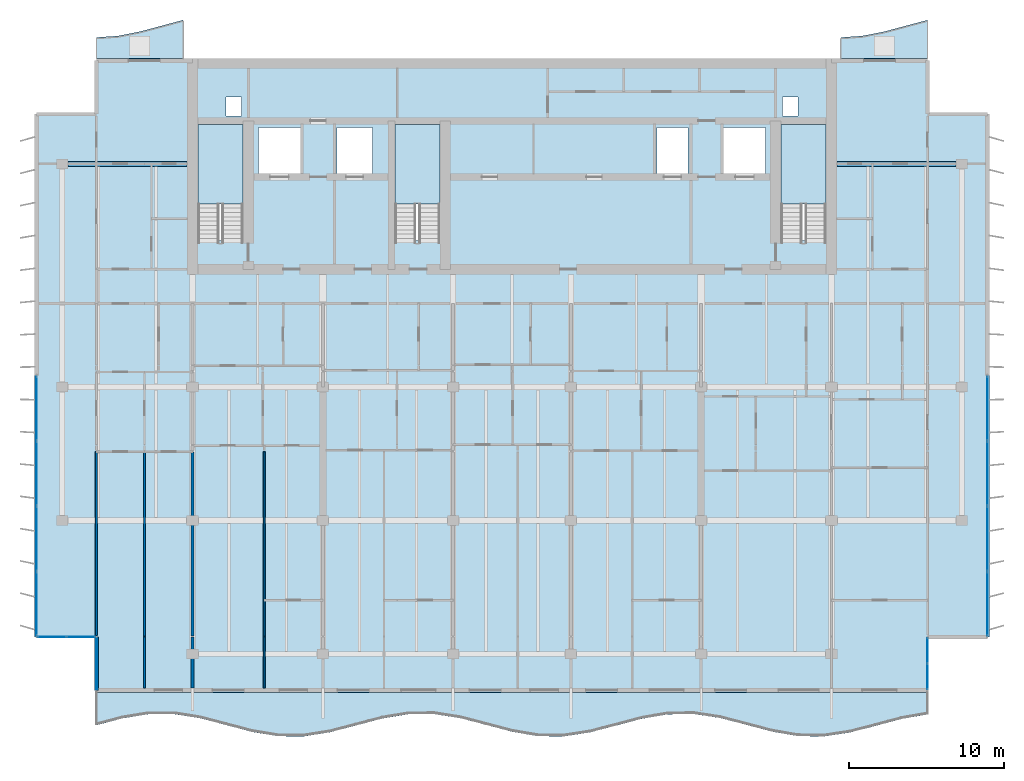
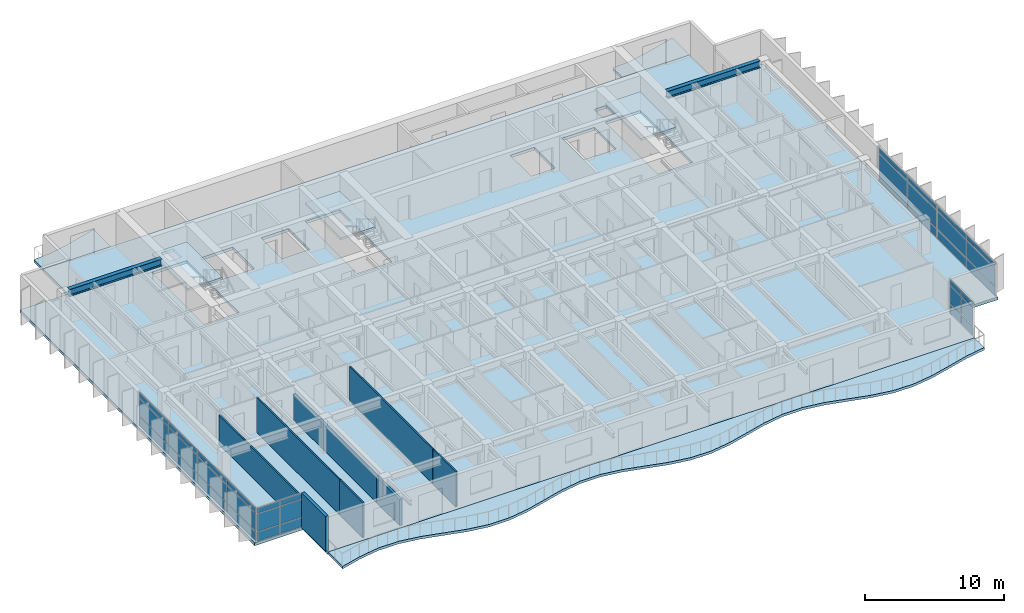
# One storey, part 5 of 17: 36 plates, 8 walls, 7 slabs, 2 beams, 7 elements without a shape of their own.
"""IFC4 building model written with IfcOpenShell, lengths in metres."""

from ifc_helpers import new_model, si_unit, direction, frame, frame_2d, origin, origin_2d, place, context, subcontext, project, spatial, polyline, rectangle, i_section, outline, extrude, material, layer, layer_set, material_profile, profile_set, type_object, element, aggregate, save


model = new_model("IFC4")

# Units and contexts
model_context = context("Model", 3, precision=1e-05, world=origin(), true_north=direction((0.0, 1.0)))
body_context = subcontext(model_context, "Body", "Model", "MODEL_VIEW")
ifc_project = project(units=[si_unit("LENGTHUNIT", "METRE"), si_unit("AREAUNIT", "SQUARE_METRE"), si_unit("VOLUMEUNIT", "CUBIC_METRE"), si_unit("PLANEANGLEUNIT", "RADIAN"), si_unit("MASSUNIT", "GRAM", prefix="KILO")], contexts=[model_context])

# Site, building, storey
site_placement = place(None, origin())
site = spatial("IfcSite", under=ifc_project, at=site_placement, CompositionType="ELEMENT")
building_placement = place(site_placement, origin())
building = spatial("IfcBuilding", under=site, at=building_placement, Name="Caelmar Bay Residences", CompositionType="ELEMENT")
storey_placement = place(building_placement, frame((0.0, 0.0, 262.800048828125)))
storey = spatial("IfcBuildingStorey", under=building, at=storey_placement, Name="L74", CompositionType="ELEMENT", Elevation=262.800048828125)

# Beams
ifc_material_1 = material(Name="Steel ASTM A992 Grade 50", Category="steel")
ifc_material_profile = material_profile(ifc_material_1, i_section(OverallWidth=0.324951171875, OverallDepth=0.616943359375, WebThickness=0.013916015625, FlangeThickness=0.021484375, FilletRadius=0.0126953125, at=origin_2d()), Name="W24X117")
ifc_profile_set = profile_set([ifc_material_profile], Name="Steel ASTM A992 Grade 50")
beam_type = type_object("IfcBeamType", Name="BM-SPN-W24X117", PredefinedType="SPANDREL", material=ifc_profile_set)
beam_1_placement = place(storey_placement, frame((10.264892578125, 43.800048828125, 2.741455078125), z_axis=(1.0, 0.0, 0.0), x_axis=(0.0, 1.0, 0.0)))
element("IfcBeam", 1, at=beam_1_placement, inside=storey, type_object=beam_type, Name="L74 North-West Wing Core Tie Girder", PredefinedType="SPANDREL", context=body_context, shape_type="SweptSolid", body=[
    extrude(i_section(OverallWidth=0.324951171875, OverallDepth=0.616943359375, WebThickness=0.013916015625, FlangeThickness=0.021484375, FilletRadius=0.0126953125, at=origin_2d()), origin(), (0.0, 0.0, 1.0), 7.68505859375),
])
beam_2_placement = place(storey_placement, frame((59.85009765625, 43.800048828125, 2.741455078125), z_axis=(1.0, 0.0, 0.0), x_axis=(0.0, 1.0, 0.0)))
element("IfcBeam", 2, at=beam_2_placement, inside=storey, type_object=beam_type, Name="L74 North-East Wing Core Tie Girder", PredefinedType="SPANDREL", context=body_context, shape_type="SweptSolid", body=[
    extrude(i_section(OverallWidth=0.324951171875, OverallDepth=0.616943359375, WebThickness=0.013916015625, FlangeThickness=0.021484375, FilletRadius=0.0126953125, at=origin_2d()), origin(), (0.0, 0.0, 1.0), 7.684814453125),
])

# Curtain wall, plates
ifc_material_2 = material(Name="Anodised bronze aluminium 6063-T6 and laminated glass", Category="aluminium")
ifc_layer_1 = layer(ifc_material_2, 0.179931640625)
ifc_layer_set_1 = layer_set([ifc_layer_1], Name="Anodised bronze aluminium 6063-T6 and laminated glass")
curtain_wall_type_1 = type_object("IfcCurtainWallType", Name="CW6-NTC", PredefinedType="NOTDEFINED", material=ifc_layer_set_1)
curtain_wall_1_placement = place(storey_placement, origin())
curtain_wall_1 = element("IfcCurtainWall", 3, at=curtain_wall_1_placement, inside=storey, type_object=curtain_wall_type_1, Name="CW6 curtain wall L74", PredefinedType="NOTDEFINED")
ifc_material_3 = material(Name="Bronze-tinted laminated low-E hurricane glass 28 mm", Category="glass")
ifc_layer_2 = layer(ifc_material_3, 0.028076171875)
ifc_layer_set_2 = layer_set([ifc_layer_2], Name="Bronze-tinted laminated low-E hurricane glass 28 mm")
plate_type_1 = type_object("IfcPlateType", Name="CWP-GLZ28", PredefinedType="CURTAIN_PANEL", material=ifc_layer_set_2)
plate_1_placement = place(storey_placement, frame((9.232421875, 13.300048828125, 0.080078125), z_axis=(0.0, 0.0, 1.0), x_axis=(1.0, 0.0, 0.0)))
plate_1 = element("IfcPlate", 4, at=plate_1_placement, type_object=plate_type_1, Name="CW6 panel 1.1", PredefinedType="CURTAIN_PANEL", context=body_context, shape_type="SweptSolid", body=[
    extrude(rectangle(XDim=1.804931640625, YDim=0.028076171875, at=origin_2d()), origin(), (0.0, 0.0, 1.0), 0.780029296875),
])
plate_2_placement = place(storey_placement, frame((9.232421875, 13.300048828125, 0.93994140625), z_axis=(0.0, 0.0, 1.0), x_axis=(1.0, 0.0, 0.0)))
plate_2 = element("IfcPlate", 5, at=plate_2_placement, type_object=plate_type_1, Name="CW6 panel 1.2", PredefinedType="CURTAIN_PANEL", context=body_context, shape_type="SweptSolid", body=[
    extrude(rectangle(XDim=1.804931640625, YDim=0.028076171875, at=origin_2d()), origin(), (0.0, 0.0, 1.0), 1.52001953125),
])
plate_3_placement = place(storey_placement, frame((9.232421875, 13.300048828125, 2.5400390625), z_axis=(0.0, 0.0, 1.0), x_axis=(1.0, 0.0, 0.0)))
plate_3 = element("IfcPlate", 6, at=plate_3_placement, type_object=plate_type_1, Name="CW6 panel 1.3", PredefinedType="CURTAIN_PANEL", context=body_context, shape_type="SweptSolid", body=[
    extrude(rectangle(XDim=1.804931640625, YDim=0.028076171875, at=origin_2d()), origin(), (0.0, 0.0, 1.0), 0.429931640625),
])
plate_4_placement = place(storey_placement, frame((11.117431640625, 13.300048828125, 0.080078125), z_axis=(0.0, 0.0, 1.0), x_axis=(1.0, 0.0, 0.0)))
plate_4 = element("IfcPlate", 7, at=plate_4_placement, type_object=plate_type_1, Name="CW6 panel 2.1", PredefinedType="CURTAIN_PANEL", context=body_context, shape_type="SweptSolid", body=[
    extrude(rectangle(XDim=1.804931640625, YDim=0.028076171875, at=origin_2d()), origin(), (0.0, 0.0, 1.0), 0.780029296875),
])
plate_5_placement = place(storey_placement, frame((11.117431640625, 13.300048828125, 0.93994140625), z_axis=(0.0, 0.0, 1.0), x_axis=(1.0, 0.0, 0.0)))
plate_5 = element("IfcPlate", 8, at=plate_5_placement, type_object=plate_type_1, Name="CW6 panel 2.2", PredefinedType="CURTAIN_PANEL", context=body_context, shape_type="SweptSolid", body=[
    extrude(rectangle(XDim=1.804931640625, YDim=0.028076171875, at=origin_2d()), origin(), (0.0, 0.0, 1.0), 1.52001953125),
])
plate_6_placement = place(storey_placement, frame((11.117431640625, 13.300048828125, 2.5400390625), z_axis=(0.0, 0.0, 1.0), x_axis=(1.0, 0.0, 0.0)))
plate_6 = element("IfcPlate", 9, at=plate_6_placement, type_object=plate_type_1, Name="CW6 panel 2.3", PredefinedType="CURTAIN_PANEL", context=body_context, shape_type="SweptSolid", body=[
    extrude(rectangle(XDim=1.804931640625, YDim=0.028076171875, at=origin_2d()), origin(), (0.0, 0.0, 1.0), 0.429931640625),
])
aggregate(curtain_wall_1, [plate_1, plate_2, plate_3, plate_4, plate_5, plate_6])

curtain_wall_2_placement = place(storey_placement, origin())
curtain_wall_2 = element("IfcCurtainWall", 10, at=curtain_wall_2_placement, inside=storey, type_object=curtain_wall_type_1, Name="CW6 curtain wall L74", PredefinedType="NOTDEFINED")
plate_7_placement = place(storey_placement, frame((65.699951171875, 10.732421875, 0.080078125), z_axis=(0.0, 0.0, 1.0), x_axis=(0.0, 1.0, 0.0)))
plate_7 = element("IfcPlate", 11, at=plate_7_placement, type_object=plate_type_1, Name="CW6 panel 1.1", PredefinedType="CURTAIN_PANEL", context=body_context, shape_type="SweptSolid", body=[
    extrude(rectangle(XDim=1.60498046875, YDim=0.028076171875, at=origin_2d()), origin(), (0.0, 0.0, 1.0), 0.780029296875),
])
plate_8_placement = place(storey_placement, frame((65.699951171875, 10.732421875, 0.93994140625), z_axis=(0.0, 0.0, 1.0), x_axis=(0.0, 1.0, 0.0)))
plate_8 = element("IfcPlate", 12, at=plate_8_placement, type_object=plate_type_1, Name="CW6 panel 1.2", PredefinedType="CURTAIN_PANEL", context=body_context, shape_type="SweptSolid", body=[
    extrude(rectangle(XDim=1.60498046875, YDim=0.028076171875, at=origin_2d()), origin(), (0.0, 0.0, 1.0), 1.52001953125),
])
plate_9_placement = place(storey_placement, frame((65.699951171875, 10.732421875, 2.5400390625), z_axis=(0.0, 0.0, 1.0), x_axis=(0.0, 1.0, 0.0)))
plate_9 = element("IfcPlate", 13, at=plate_9_placement, type_object=plate_type_1, Name="CW6 panel 1.3", PredefinedType="CURTAIN_PANEL", context=body_context, shape_type="SweptSolid", body=[
    extrude(rectangle(XDim=1.60498046875, YDim=0.028076171875, at=origin_2d()), origin(), (0.0, 0.0, 1.0), 0.429931640625),
])
plate_10_placement = place(storey_placement, frame((65.699951171875, 12.41748046875, 0.080078125), z_axis=(0.0, 0.0, 1.0), x_axis=(0.0, 1.0, 0.0)))
plate_10 = element("IfcPlate", 14, at=plate_10_placement, type_object=plate_type_1, Name="CW6 panel 2.1", PredefinedType="CURTAIN_PANEL", context=body_context, shape_type="SweptSolid", body=[
    extrude(rectangle(XDim=1.60498046875, YDim=0.028076171875, at=origin_2d()), origin(), (0.0, 0.0, 1.0), 0.780029296875),
])
plate_11_placement = place(storey_placement, frame((65.699951171875, 12.41748046875, 0.93994140625), z_axis=(0.0, 0.0, 1.0), x_axis=(0.0, 1.0, 0.0)))
plate_11 = element("IfcPlate", 15, at=plate_11_placement, type_object=plate_type_1, Name="CW6 panel 2.2", PredefinedType="CURTAIN_PANEL", context=body_context, shape_type="SweptSolid", body=[
    extrude(rectangle(XDim=1.60498046875, YDim=0.028076171875, at=origin_2d()), origin(), (0.0, 0.0, 1.0), 1.52001953125),
])
plate_12_placement = place(storey_placement, frame((65.699951171875, 12.41748046875, 2.5400390625), z_axis=(0.0, 0.0, 1.0), x_axis=(0.0, 1.0, 0.0)))
plate_12 = element("IfcPlate", 16, at=plate_12_placement, type_object=plate_type_1, Name="CW6 panel 2.3", PredefinedType="CURTAIN_PANEL", context=body_context, shape_type="SweptSolid", body=[
    extrude(rectangle(XDim=1.60498046875, YDim=0.028076171875, at=origin_2d()), origin(), (0.0, 0.0, 1.0), 0.429931640625),
])
aggregate(curtain_wall_2, [plate_7, plate_8, plate_9, plate_10, plate_11, plate_12])

ifc_layer_3 = layer(ifc_material_2, 0.179931640625)
ifc_layer_set_3 = layer_set([ifc_layer_3], Name="Anodised bronze aluminium 6063-T6 and laminated glass")
curtain_wall_type_2 = type_object("IfcCurtainWallType", Name="CW5-Z4", PredefinedType="NOTDEFINED", material=ifc_layer_set_3)
curtain_wall_3_placement = place(storey_placement, origin())
curtain_wall_3 = element("IfcCurtainWall", 17, at=curtain_wall_3_placement, inside=storey, type_object=curtain_wall_type_2, Name="CW5 curtain wall L74", PredefinedType="NOTDEFINED")
ifc_material_4 = material(Name="Bronze-tinted laminated low-E hurricane glass 32 mm", Category="glass")
ifc_layer_4 = layer(ifc_material_4, 0.031982421875)
ifc_layer_set_4 = layer_set([ifc_layer_4], Name="Bronze-tinted laminated low-E hurricane glass 32 mm")
plate_type_2 = type_object("IfcPlateType", Name="CWP-GLZ32", PredefinedType="CURTAIN_PANEL", material=ifc_layer_set_4)
plate_13_placement = place(storey_placement, frame((8.25, 15.42626953125, 0.080078125), z_axis=(0.0, 0.0, 1.0), x_axis=(0.0, 1.0, 0.0)))
plate_13 = element("IfcPlate", 18, at=plate_13_placement, type_object=plate_type_2, Name="CW5 panel 1.1", PredefinedType="CURTAIN_PANEL", context=body_context, shape_type="SweptSolid", body=[
    extrude(rectangle(XDim=4.092529296875, YDim=0.031982421875, at=origin_2d()), origin(), (0.0, 0.0, 1.0), 0.780029296875),
])
plate_14_placement = place(storey_placement, frame((8.25, 15.42626953125, 0.93994140625), z_axis=(0.0, 0.0, 1.0), x_axis=(0.0, 1.0, 0.0)))
plate_14 = element("IfcPlate", 19, at=plate_14_placement, type_object=plate_type_2, Name="CW5 panel 1.2", PredefinedType="CURTAIN_PANEL", context=body_context, shape_type="SweptSolid", body=[
    extrude(rectangle(XDim=4.092529296875, YDim=0.031982421875, at=origin_2d()), origin(), (0.0, 0.0, 1.0), 1.52001953125),
])
plate_15_placement = place(storey_placement, frame((8.25, 15.42626953125, 2.5400390625), z_axis=(0.0, 0.0, 1.0), x_axis=(0.0, 1.0, 0.0)))
plate_15 = element("IfcPlate", 20, at=plate_15_placement, type_object=plate_type_2, Name="CW5 panel 1.3", PredefinedType="CURTAIN_PANEL", context=body_context, shape_type="SweptSolid", body=[
    extrude(rectangle(XDim=4.092529296875, YDim=0.031982421875, at=origin_2d()), origin(), (0.0, 0.0, 1.0), 0.429931640625),
])
plate_16_placement = place(storey_placement, frame((8.25, 19.61865234375, 0.080078125), z_axis=(0.0, 0.0, 1.0), x_axis=(0.0, 1.0, 0.0)))
plate_16 = element("IfcPlate", 21, at=plate_16_placement, type_object=plate_type_2, Name="CW5 panel 2.1", PredefinedType="CURTAIN_PANEL", context=body_context, shape_type="SweptSolid", body=[
    extrude(rectangle(XDim=4.132568359375, YDim=0.031982421875, at=origin_2d()), origin(), (0.0, 0.0, 1.0), 0.780029296875),
])
plate_17_placement = place(storey_placement, frame((8.25, 19.61865234375, 0.93994140625), z_axis=(0.0, 0.0, 1.0), x_axis=(0.0, 1.0, 0.0)))
plate_17 = element("IfcPlate", 22, at=plate_17_placement, type_object=plate_type_2, Name="CW5 panel 2.2", PredefinedType="CURTAIN_PANEL", context=body_context, shape_type="SweptSolid", body=[
    extrude(rectangle(XDim=4.132568359375, YDim=0.031982421875, at=origin_2d()), origin(), (0.0, 0.0, 1.0), 1.52001953125),
])
plate_18_placement = place(storey_placement, frame((8.25, 19.61865234375, 2.5400390625), z_axis=(0.0, 0.0, 1.0), x_axis=(0.0, 1.0, 0.0)))
plate_18 = element("IfcPlate", 23, at=plate_18_placement, type_object=plate_type_2, Name="CW5 panel 2.3", PredefinedType="CURTAIN_PANEL", context=body_context, shape_type="SweptSolid", body=[
    extrude(rectangle(XDim=4.132568359375, YDim=0.031982421875, at=origin_2d()), origin(), (0.0, 0.0, 1.0), 0.429931640625),
])
plate_19_placement = place(storey_placement, frame((8.25, 23.831298828125, 0.080078125), z_axis=(0.0, 0.0, 1.0), x_axis=(0.0, 1.0, 0.0)))
plate_19 = element("IfcPlate", 24, at=plate_19_placement, type_object=plate_type_2, Name="CW5 panel 3.1", PredefinedType="CURTAIN_PANEL", context=body_context, shape_type="SweptSolid", body=[
    extrude(rectangle(XDim=4.132568359375, YDim=0.031982421875, at=origin_2d()), origin(), (0.0, 0.0, 1.0), 0.780029296875),
])
plate_20_placement = place(storey_placement, frame((8.25, 23.831298828125, 0.93994140625), z_axis=(0.0, 0.0, 1.0), x_axis=(0.0, 1.0, 0.0)))
plate_20 = element("IfcPlate", 25, at=plate_20_placement, type_object=plate_type_2, Name="CW5 panel 3.2", PredefinedType="CURTAIN_PANEL", context=body_context, shape_type="SweptSolid", body=[
    extrude(rectangle(XDim=4.132568359375, YDim=0.031982421875, at=origin_2d()), origin(), (0.0, 0.0, 1.0), 1.52001953125),
])
plate_21_placement = place(storey_placement, frame((8.25, 23.831298828125, 2.5400390625), z_axis=(0.0, 0.0, 1.0), x_axis=(0.0, 1.0, 0.0)))
plate_21 = element("IfcPlate", 26, at=plate_21_placement, type_object=plate_type_2, Name="CW5 panel 3.3", PredefinedType="CURTAIN_PANEL", context=body_context, shape_type="SweptSolid", body=[
    extrude(rectangle(XDim=4.132568359375, YDim=0.031982421875, at=origin_2d()), origin(), (0.0, 0.0, 1.0), 0.429931640625),
])
plate_22_placement = place(storey_placement, frame((8.25, 28.023681640625, 0.080078125), z_axis=(0.0, 0.0, 1.0), x_axis=(0.0, 1.0, 0.0)))
plate_22 = element("IfcPlate", 27, at=plate_22_placement, type_object=plate_type_2, Name="CW5 panel 4.1", PredefinedType="CURTAIN_PANEL", context=body_context, shape_type="SweptSolid", body=[
    extrude(rectangle(XDim=4.092529296875, YDim=0.031982421875, at=origin_2d()), origin(), (0.0, 0.0, 1.0), 0.780029296875),
])
plate_23_placement = place(storey_placement, frame((8.25, 28.023681640625, 0.93994140625), z_axis=(0.0, 0.0, 1.0), x_axis=(0.0, 1.0, 0.0)))
plate_23 = element("IfcPlate", 28, at=plate_23_placement, type_object=plate_type_2, Name="CW5 panel 4.2", PredefinedType="CURTAIN_PANEL", context=body_context, shape_type="SweptSolid", body=[
    extrude(rectangle(XDim=4.092529296875, YDim=0.031982421875, at=origin_2d()), origin(), (0.0, 0.0, 1.0), 1.52001953125),
])
plate_24_placement = place(storey_placement, frame((8.25, 28.023681640625, 2.5400390625), z_axis=(0.0, 0.0, 1.0), x_axis=(0.0, 1.0, 0.0)))
plate_24 = element("IfcPlate", 29, at=plate_24_placement, type_object=plate_type_2, Name="CW5 panel 4.3", PredefinedType="CURTAIN_PANEL", context=body_context, shape_type="SweptSolid", body=[
    extrude(rectangle(XDim=4.092529296875, YDim=0.031982421875, at=origin_2d()), origin(), (0.0, 0.0, 1.0), 0.429931640625),
])
aggregate(curtain_wall_3, [plate_13, plate_14, plate_15, plate_16, plate_17, plate_18, plate_19, plate_20, plate_21, plate_22, plate_23, plate_24])

curtain_wall_4_placement = place(storey_placement, origin())
curtain_wall_4 = element("IfcCurtainWall", 30, at=curtain_wall_4_placement, inside=storey, type_object=curtain_wall_type_2, Name="CW5 curtain wall L74", PredefinedType="NOTDEFINED")
plate_25_placement = place(storey_placement, frame((69.550048828125, 28.023681640625, 0.080078125), z_axis=(0.0, 0.0, 1.0), x_axis=(0.0, -1.0, 0.0)))
plate_25 = element("IfcPlate", 31, at=plate_25_placement, type_object=plate_type_2, Name="CW5 panel 1.1", PredefinedType="CURTAIN_PANEL", context=body_context, shape_type="SweptSolid", body=[
    extrude(rectangle(XDim=4.092529296875, YDim=0.031982421875, at=origin_2d()), origin(), (0.0, 0.0, 1.0), 0.780029296875),
])
plate_26_placement = place(storey_placement, frame((69.550048828125, 28.023681640625, 0.93994140625), z_axis=(0.0, 0.0, 1.0), x_axis=(0.0, -1.0, 0.0)))
plate_26 = element("IfcPlate", 32, at=plate_26_placement, type_object=plate_type_2, Name="CW5 panel 1.2", PredefinedType="CURTAIN_PANEL", context=body_context, shape_type="SweptSolid", body=[
    extrude(rectangle(XDim=4.092529296875, YDim=0.031982421875, at=origin_2d()), origin(), (0.0, 0.0, 1.0), 1.52001953125),
])
plate_27_placement = place(storey_placement, frame((69.550048828125, 28.023681640625, 2.5400390625), z_axis=(0.0, 0.0, 1.0), x_axis=(0.0, -1.0, 0.0)))
plate_27 = element("IfcPlate", 33, at=plate_27_placement, type_object=plate_type_2, Name="CW5 panel 1.3", PredefinedType="CURTAIN_PANEL", context=body_context, shape_type="SweptSolid", body=[
    extrude(rectangle(XDim=4.092529296875, YDim=0.031982421875, at=origin_2d()), origin(), (0.0, 0.0, 1.0), 0.429931640625),
])
plate_28_placement = place(storey_placement, frame((69.550048828125, 23.831298828125, 0.080078125), z_axis=(0.0, 0.0, 1.0), x_axis=(0.0, -1.0, 0.0)))
plate_28 = element("IfcPlate", 34, at=plate_28_placement, type_object=plate_type_2, Name="CW5 panel 2.1", PredefinedType="CURTAIN_PANEL", context=body_context, shape_type="SweptSolid", body=[
    extrude(rectangle(XDim=4.132568359375, YDim=0.031982421875, at=origin_2d()), origin(), (0.0, 0.0, 1.0), 0.780029296875),
])
plate_29_placement = place(storey_placement, frame((69.550048828125, 23.831298828125, 0.93994140625), z_axis=(0.0, 0.0, 1.0), x_axis=(0.0, -1.0, 0.0)))
plate_29 = element("IfcPlate", 35, at=plate_29_placement, type_object=plate_type_2, Name="CW5 panel 2.2", PredefinedType="CURTAIN_PANEL", context=body_context, shape_type="SweptSolid", body=[
    extrude(rectangle(XDim=4.132568359375, YDim=0.031982421875, at=origin_2d()), origin(), (0.0, 0.0, 1.0), 1.52001953125),
])
plate_30_placement = place(storey_placement, frame((69.550048828125, 23.831298828125, 2.5400390625), z_axis=(0.0, 0.0, 1.0), x_axis=(0.0, -1.0, 0.0)))
plate_30 = element("IfcPlate", 36, at=plate_30_placement, type_object=plate_type_2, Name="CW5 panel 2.3", PredefinedType="CURTAIN_PANEL", context=body_context, shape_type="SweptSolid", body=[
    extrude(rectangle(XDim=4.132568359375, YDim=0.031982421875, at=origin_2d()), origin(), (0.0, 0.0, 1.0), 0.429931640625),
])
plate_31_placement = place(storey_placement, frame((69.550048828125, 19.61865234375, 0.080078125), z_axis=(0.0, 0.0, 1.0), x_axis=(0.0, -1.0, 0.0)))
plate_31 = element("IfcPlate", 37, at=plate_31_placement, type_object=plate_type_2, Name="CW5 panel 3.1", PredefinedType="CURTAIN_PANEL", context=body_context, shape_type="SweptSolid", body=[
    extrude(rectangle(XDim=4.132568359375, YDim=0.031982421875, at=origin_2d()), origin(), (0.0, 0.0, 1.0), 0.780029296875),
])
plate_32_placement = place(storey_placement, frame((69.550048828125, 19.61865234375, 0.93994140625), z_axis=(0.0, 0.0, 1.0), x_axis=(0.0, -1.0, 0.0)))
plate_32 = element("IfcPlate", 38, at=plate_32_placement, type_object=plate_type_2, Name="CW5 panel 3.2", PredefinedType="CURTAIN_PANEL", context=body_context, shape_type="SweptSolid", body=[
    extrude(rectangle(XDim=4.132568359375, YDim=0.031982421875, at=origin_2d()), origin(), (0.0, 0.0, 1.0), 1.52001953125),
])
plate_33_placement = place(storey_placement, frame((69.550048828125, 19.61865234375, 2.5400390625), z_axis=(0.0, 0.0, 1.0), x_axis=(0.0, -1.0, 0.0)))
plate_33 = element("IfcPlate", 39, at=plate_33_placement, type_object=plate_type_2, Name="CW5 panel 3.3", PredefinedType="CURTAIN_PANEL", context=body_context, shape_type="SweptSolid", body=[
    extrude(rectangle(XDim=4.132568359375, YDim=0.031982421875, at=origin_2d()), origin(), (0.0, 0.0, 1.0), 0.429931640625),
])
plate_34_placement = place(storey_placement, frame((69.550048828125, 15.42626953125, 0.080078125), z_axis=(0.0, 0.0, 1.0), x_axis=(0.0, -1.0, 0.0)))
plate_34 = element("IfcPlate", 40, at=plate_34_placement, type_object=plate_type_2, Name="CW5 panel 4.1", PredefinedType="CURTAIN_PANEL", context=body_context, shape_type="SweptSolid", body=[
    extrude(rectangle(XDim=4.092529296875, YDim=0.031982421875, at=origin_2d()), origin(), (0.0, 0.0, 1.0), 0.780029296875),
])
plate_35_placement = place(storey_placement, frame((69.550048828125, 15.42626953125, 0.93994140625), z_axis=(0.0, 0.0, 1.0), x_axis=(0.0, -1.0, 0.0)))
plate_35 = element("IfcPlate", 41, at=plate_35_placement, type_object=plate_type_2, Name="CW5 panel 4.2", PredefinedType="CURTAIN_PANEL", context=body_context, shape_type="SweptSolid", body=[
    extrude(rectangle(XDim=4.092529296875, YDim=0.031982421875, at=origin_2d()), origin(), (0.0, 0.0, 1.0), 1.52001953125),
])
plate_36_placement = place(storey_placement, frame((69.550048828125, 15.42626953125, 2.5400390625), z_axis=(0.0, 0.0, 1.0), x_axis=(0.0, -1.0, 0.0)))
plate_36 = element("IfcPlate", 42, at=plate_36_placement, type_object=plate_type_2, Name="CW5 panel 4.3", PredefinedType="CURTAIN_PANEL", context=body_context, shape_type="SweptSolid", body=[
    extrude(rectangle(XDim=4.092529296875, YDim=0.031982421875, at=origin_2d()), origin(), (0.0, 0.0, 1.0), 0.429931640625),
])
aggregate(curtain_wall_4, [plate_25, plate_26, plate_27, plate_28, plate_29, plate_30, plate_31, plate_32, plate_33, plate_34, plate_35, plate_36])

# Slabs
ifc_material_5 = material(Name="Concrete f'c 40 MPa (6,000 psi)", Category="concrete")
ifc_layer_5 = layer(ifc_material_5, 0.219970703125)
ifc_layer_set_5 = layer_set([ifc_layer_5], Name="Concrete f'c 40 MPa (6,000 psi)")
slab_type_1 = type_object("IfcSlabType", Name="SLB-BAL-220", PredefinedType="FLOOR", material=ifc_layer_set_5)
slab_1_placement = place(storey_placement, frame((0.0, 0.0, -0.219970703125)))
element("IfcSlab", 43, at=slab_1_placement, inside=storey, type_object=slab_type_1, Name="L74 Sinusoidal Tree-Balcony Slab south", PredefinedType="FLOOR", context=body_context, shape_type="SweptSolid", body=[
    extrude(outline(polyline([(12.10009765625, 7.60009765625), (13.77490234375, 8.039794921875), (15.449951171875, 8.3125), (17.125, 8.314697265625), (18.800048828125, 8.04541015625), (20.47509765625, 7.60693359375), (22.14990234375, 7.166015625), (23.824951171875, 6.889892578125), (25.5, 6.88330078125), (27.175048828125, 7.14892578125), (28.85009765625, 7.5859375), (30.52490234375, 8.0283203125), (32.199951171875, 8.307861328125), (33.875, 8.318603515625), (35.550048828125, 8.056640625), (37.22509765625, 7.62109375), (38.89990234375, 7.177490234375), (40.574951171875, 6.894287109375), (42.25, 6.87939453125), (43.925048828125, 7.137939453125), (45.60009765625, 7.572021484375), (47.27490234375, 8.0166015625), (48.949951171875, 8.30322265625), (50.625, 8.322509765625), (52.300048828125, 8.067626953125), (53.97509765625, 7.635009765625), (55.64990234375, 7.189208984375), (57.324951171875, 6.8994140625), (59.0, 6.87548828125), (60.675048828125, 7.126953125), (62.35009765625, 7.557861328125), (64.02490234375, 8.0048828125), (65.699951171875, 8.298095703125), (65.699951171875, 9.699951171875), (12.10009765625, 9.699951171875), (12.10009765625, 7.60009765625)])), origin(), (0.0, 0.0, 1.0), 0.219970703125),
])
slab_2_placement = place(storey_placement, frame((0.0, 0.0, -0.219970703125)))
element("IfcSlab", 44, at=slab_2_placement, inside=storey, type_object=slab_type_1, Name="L74 Sinusoidal Tree-Balcony Slab north_west", PredefinedType="FLOOR", context=body_context, shape_type="SweptSolid", body=[
    extrude(outline(polyline([(12.10009765625, 50.60009765625), (17.699951171875, 50.60009765625), (17.699951171875, 53.074951171875), (16.300048828125, 52.699951171875), (14.89990234375, 52.324951171875), (13.5, 52.050537109375), (12.10009765625, 51.949951171875), (12.10009765625, 50.60009765625)])), origin(), (0.0, 0.0, 1.0), 0.219970703125),
])
slab_3_placement = place(storey_placement, frame((0.0, 0.0, -0.219970703125)))
element("IfcSlab", 45, at=slab_3_placement, inside=storey, type_object=slab_type_1, Name="L74 Sinusoidal Tree-Balcony Slab north_east", PredefinedType="FLOOR", context=body_context, shape_type="SweptSolid", body=[
    extrude(outline(polyline([(60.10009765625, 50.60009765625), (65.699951171875, 50.60009765625), (65.699951171875, 53.074951171875), (64.300048828125, 52.699951171875), (62.89990234375, 52.324951171875), (61.5, 52.050537109375), (60.10009765625, 51.949951171875), (60.10009765625, 50.60009765625)])), origin(), (0.0, 0.0, 1.0), 0.219970703125),
])

# Stair, slab
stair_type = type_object("IfcStairType", Name="ST-TYP-165", PredefinedType="HALF_TURN_STAIR", material=ifc_material_5)
stair_1_placement = place(storey_placement, origin())
stair_1 = element("IfcStair", 46, at=stair_1_placement, inside=storey, type_object=stair_type, Name="L74 West Smokeproof Exit Stair ST1", PredefinedType="HALF_TURN_STAIR")
ifc_layer_6 = layer(ifc_material_5, 0.199951171875)
ifc_layer_set_6 = layer_set([ifc_layer_6], Name="Concrete f'c 40 MPa (6,000 psi)")
slab_type_2 = type_object("IfcSlabType", Name="SLB-LND-200", PredefinedType="LANDING", material=ifc_layer_set_6)
slab_4_placement = place(storey_placement, frame((0.0, 0.0, 1.449951171875)))
slab_4 = element("IfcSlab", 47, at=slab_4_placement, type_object=slab_type_2, Name="ST1 landing 1", PredefinedType="LANDING", context=body_context, shape_type="SweptSolid", body=[
    extrude(outline(polyline([(21.550048828125, 41.219970703125), (21.550048828125, 46.35009765625), (18.64990234375, 46.35009765625), (18.64990234375, 41.219970703125), (21.550048828125, 41.219970703125)])), origin(), (0.0, 0.0, 1.0), 0.199951171875),
])
aggregate(stair_1, [slab_4])

stair_2_placement = place(storey_placement, origin())
stair_2 = element("IfcStair", 48, at=stair_2_placement, inside=storey, type_object=stair_type, Name="L74 East Smokeproof Exit Stair ST2", PredefinedType="HALF_TURN_STAIR")
slab_5_placement = place(storey_placement, frame((0.0, 0.0, 1.449951171875)))
slab_5 = element("IfcSlab", 49, at=slab_5_placement, type_object=slab_type_2, Name="ST2 landing 1", PredefinedType="LANDING", context=body_context, shape_type="SweptSolid", body=[
    extrude(outline(polyline([(59.14990234375, 41.219970703125), (59.14990234375, 46.35009765625), (56.25, 46.35009765625), (56.25, 41.219970703125), (59.14990234375, 41.219970703125)])), origin(), (0.0, 0.0, 1.0), 0.199951171875),
])
aggregate(stair_2, [slab_5])

stair_3_placement = place(storey_placement, origin())
stair_3 = element("IfcStair", 50, at=stair_3_placement, inside=storey, type_object=stair_type, Name="L74 Central Smokeproof Exit Stair ST3", PredefinedType="HALF_TURN_STAIR")
slab_6_placement = place(storey_placement, frame((0.0, 0.0, 1.449951171875)))
slab_6 = element("IfcSlab", 51, at=slab_6_placement, type_object=slab_type_2, Name="ST3 landing 1", PredefinedType="LANDING", context=body_context, shape_type="SweptSolid", body=[
    extrude(outline(polyline([(34.25, 41.219970703125), (34.25, 46.35009765625), (31.35009765625, 46.35009765625), (31.35009765625, 41.219970703125), (34.25, 41.219970703125)])), origin(), (0.0, 0.0, 1.0), 0.199951171875),
])
aggregate(stair_3, [slab_6])

# Slab
ifc_layer_7 = layer(ifc_material_5, 0.25)
ifc_layer_set_7 = layer_set([ifc_layer_7], Name="Concrete f'c 40 MPa (6,000 psi)")
slab_type_3 = type_object("IfcSlabType", Name="SLB-RES-250", PredefinedType="FLOOR", material=ifc_layer_set_7)
slab_7_placement = place(storey_placement, frame((0.0, 0.0, -0.25)))
element("IfcSlab", 52, at=slab_7_placement, inside=storey, type_object=slab_type_3, Name="L74 Structural Floor Slab", PredefinedType="FLOOR", context=body_context, shape_type="SweptSolid", body=[
    extrude(outline(polyline([(12.10009765625, 9.699951171875), (65.699951171875, 9.699951171875), (65.699951171875, 13.300048828125), (69.699951171875, 13.300048828125), (69.699951171875, 47.0), (65.699951171875, 47.0), (65.699951171875, 50.60009765625), (12.10009765625, 50.60009765625), (12.10009765625, 47.0), (8.10009765625, 47.0), (8.10009765625, 13.300048828125), (12.10009765625, 13.300048828125), (12.10009765625, 9.699951171875)]), holes=[polyline([(18.64990234375, 38.85009765625), (21.550048828125, 38.85009765625), (21.550048828125, 46.35009765625), (18.64990234375, 46.35009765625), (18.64990234375, 38.85009765625)]), polyline([(56.25, 38.85009765625), (59.14990234375, 38.85009765625), (59.14990234375, 46.35009765625), (56.25, 46.35009765625), (56.25, 38.85009765625)]), polyline([(31.35009765625, 38.85009765625), (34.25, 38.85009765625), (34.25, 46.35009765625), (31.35009765625, 46.35009765625), (31.35009765625, 38.85009765625)]), polyline([(22.550048828125, 43.050048828125), (25.25, 43.050048828125), (25.25, 46.14990234375), (22.550048828125, 46.14990234375), (22.550048828125, 43.050048828125)]), polyline([(52.550048828125, 43.050048828125), (55.25, 43.050048828125), (55.25, 46.14990234375), (52.550048828125, 46.14990234375), (52.550048828125, 43.050048828125)]), polyline([(48.25, 43.14990234375), (50.25, 43.14990234375), (50.25, 46.14990234375), (48.25, 46.14990234375), (48.25, 43.14990234375)]), polyline([(27.60009765625, 43.14990234375), (29.89990234375, 43.14990234375), (29.89990234375, 46.14990234375), (27.60009765625, 46.14990234375), (27.60009765625, 43.14990234375)]), polyline([(20.449951171875, 46.89990234375), (21.449951171875, 46.89990234375), (21.449951171875, 48.10009765625), (20.449951171875, 48.10009765625), (20.449951171875, 46.89990234375)]), polyline([(56.35009765625, 46.89990234375), (57.35009765625, 46.89990234375), (57.35009765625, 48.10009765625), (56.35009765625, 48.10009765625), (56.35009765625, 46.89990234375)])]), origin(), (0.0, 0.0, 1.0), 0.25),
])

# Walls
ifc_material_6 = material(Name="Precast concrete f'c 40 MPa (6,000 psi)", Category="concrete")
ifc_layer_8 = layer(ifc_material_6, 0.25)
ifc_layer_set_8 = layer_set([ifc_layer_8], Name="Precast concrete f'c 40 MPa (6,000 psi)")
wall_type_1 = type_object("IfcWallType", Name="W-EXT-250", PredefinedType="ELEMENTEDWALL", material=ifc_layer_set_8)
wall_1_placement = place(storey_placement, frame((12.10009765625, 13.300048828125, 0.0), z_axis=(0.0, 0.0, 1.0), x_axis=(0.0, -1.0, 0.0)))
element("IfcWall", 53, at=wall_1_placement, inside=storey, type_object=wall_type_1, Name="L74 SW Notch Return Wall", PredefinedType="ELEMENTEDWALL", context=body_context, shape_type="SweptSolid", body=[
    extrude(rectangle(XDim=3.449951171875, YDim=0.25, at=frame_2d((1.72509765625, 0.0))), origin(), (0.0, 0.0, 1.0), 3.050048828125),
])
ifc_material_7 = material(Name="Acoustic metal-stud gypsum partition 120 mm")
ifc_layer_9 = layer(ifc_material_7, 0.1201171875)
ifc_layer_set_9 = layer_set([ifc_layer_9], Name="Acoustic metal-stud gypsum partition 120 mm")
wall_type_2 = type_object("IfcWallType", Name="W-PRT-120", PredefinedType="PARTITIONING", material=ifc_layer_set_9)
wall_2_placement = place(storey_placement, frame((12.10009765625, 13.385009765625, 0.0), z_axis=(0.0, 0.0, 1.0), x_axis=(0.0, 1.0, 0.0)))
element("IfcWall", 54, at=wall_2_placement, inside=storey, type_object=wall_type_2, Name="L74 Partition Wall V001", PredefinedType="PARTITIONING", context=body_context, shape_type="SweptSolid", body=[
    extrude(rectangle(XDim=11.844970703125, YDim=0.1201171875, at=frame_2d((5.92236328125, 0.0))), origin(), (0.0, 0.0, 1.0), 2.577880859375),
])
wall_3_placement = place(storey_placement, frame((15.199951171875, 9.9951171875, 0.0), z_axis=(0.0, 0.0, 1.0), x_axis=(0.0, 1.0, 0.0)))
element("IfcWall", 55, at=wall_3_placement, inside=storey, type_object=wall_type_2, Name="L74 Partition Wall V010", PredefinedType="PARTITIONING", context=body_context, shape_type="SweptSolid", body=[
    extrude(rectangle(XDim=3.304931640625, YDim=0.1201171875, at=frame_2d((1.65234375, 0.0))), origin(), (0.0, 0.0, 1.0), 3.050048828125),
])
wall_4_placement = place(storey_placement, frame((15.199951171875, 13.340087890625, 0.0), z_axis=(0.0, 0.0, 1.0), x_axis=(0.0, 1.0, 0.0)))
element("IfcWall", 56, at=wall_4_placement, inside=storey, type_object=wall_type_2, Name="L74 Partition Wall V011", PredefinedType="PARTITIONING", context=body_context, shape_type="SweptSolid", body=[
    extrude(rectangle(XDim=11.889892578125, YDim=0.1201171875, at=frame_2d((5.94482421875, 0.0))), origin(), (0.0, 0.0, 1.0), 3.050048828125),
])
wall_5_placement = place(storey_placement, frame((22.919921875, 9.9951171875, 0.0), z_axis=(0.0, 0.0, 1.0), x_axis=(0.0, 1.0, 0.0)))
element("IfcWall", 57, at=wall_5_placement, inside=storey, type_object=wall_type_2, Name="L74 Partition Wall V024", PredefinedType="PARTITIONING", context=body_context, shape_type="SweptSolid", body=[
    extrude(rectangle(XDim=3.304931640625, YDim=0.1201171875, at=frame_2d((1.65234375, 0.0))), origin(), (0.0, 0.0, 1.0), 3.050048828125),
])
wall_6_placement = place(storey_placement, frame((22.919921875, 13.340087890625, 0.0), z_axis=(0.0, 0.0, 1.0), x_axis=(0.0, 1.0, 0.0)))
element("IfcWall", 58, at=wall_6_placement, inside=storey, type_object=wall_type_2, Name="L74 Partition Wall V025", PredefinedType="PARTITIONING", context=body_context, shape_type="SweptSolid", body=[
    extrude(rectangle(XDim=11.889892578125, YDim=0.1201171875, at=frame_2d((5.94482421875, 0.0))), origin(), (0.0, 0.0, 1.0), 3.050048828125),
])
ifc_material_8 = material(Name="Acoustic twin-stud fire-rated inter-tenancy partition 200 mm")
ifc_layer_10 = layer(ifc_material_8, 0.199951171875)
ifc_layer_set_10 = layer_set([ifc_layer_10], Name="Acoustic twin-stud fire-rated inter-tenancy partition 200 mm")
wall_type_3 = type_object("IfcWallType", Name="W-PTY-200", PredefinedType="PARTITIONING", material=ifc_layer_set_10)
wall_7_placement = place(storey_placement, frame((18.300048828125, 9.9951171875, 0.0), z_axis=(0.0, 0.0, 1.0), x_axis=(0.0, 1.0, 0.0)))
element("IfcWall", 59, at=wall_7_placement, inside=storey, type_object=wall_type_3, Name="L74 Partition Wall V015", PredefinedType="PARTITIONING", context=body_context, shape_type="SweptSolid", body=[
    extrude(rectangle(XDim=3.304931640625, YDim=0.199951171875, at=frame_2d((1.65234375, 0.0))), origin(), (0.0, 0.0, 1.0), 2.262939453125),
])
wall_8_placement = place(storey_placement, frame((18.300048828125, 13.340087890625, 0.0), z_axis=(0.0, 0.0, 1.0), x_axis=(0.0, 1.0, 0.0)))
element("IfcWall", 60, at=wall_8_placement, inside=storey, type_object=wall_type_3, Name="L74 Partition Wall V016", PredefinedType="PARTITIONING", context=body_context, shape_type="SweptSolid", body=[
    extrude(rectangle(XDim=11.889892578125, YDim=0.199951171875, at=frame_2d((5.94482421875, 0.0))), origin(), (0.0, 0.0, 1.0), 2.262939453125),
])

save(model, "model.ifc")
